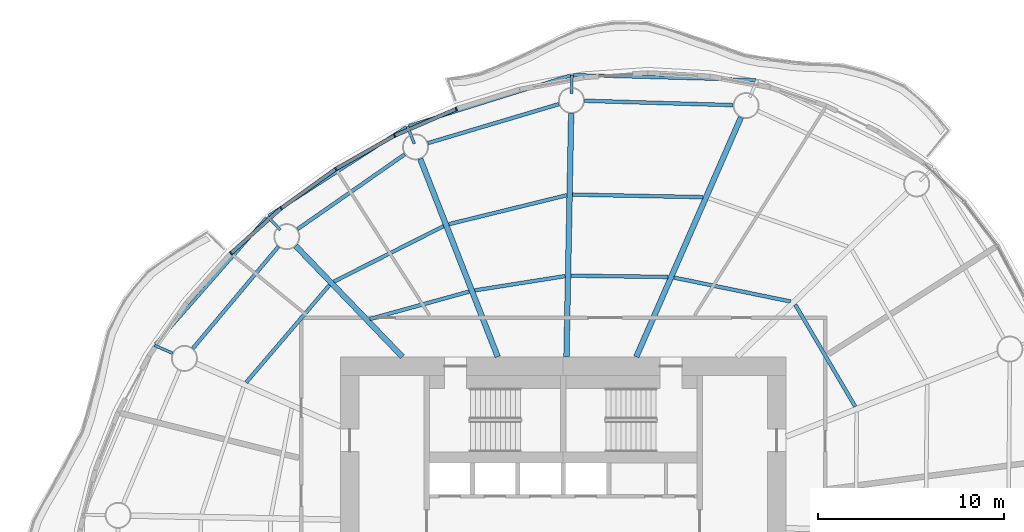
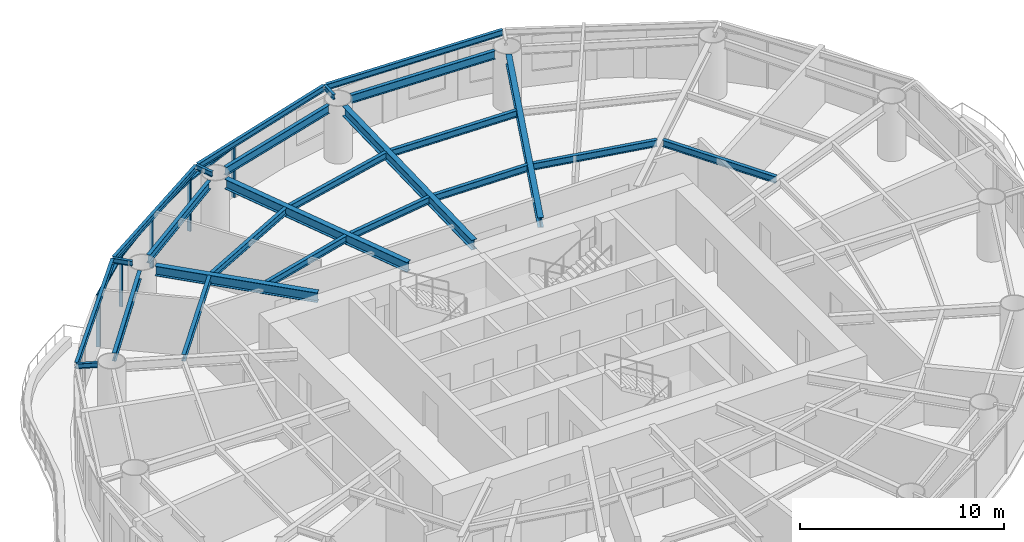
# One storey, part 5 of 14: 25 beams, 9 members, 4 elements without a shape of their own.
"""IFC4 building model written with IfcOpenShell, lengths in metres."""

from ifc_helpers import new_model, si_unit, direction, frame, origin, origin_2d, place, context, subcontext, project, spatial, rectangle, i_section, extrude, material, material_profile, profile_set, type_object, element, aggregate, save


model = new_model("IFC4")

# Units and contexts
model_context = context("Model", 3, precision=1e-05, world=origin(), true_north=direction((0.0, 1.0)))
body_context = subcontext(model_context, "Body", "Model", "MODEL_VIEW")
ifc_project = project(units=[si_unit("LENGTHUNIT", "METRE"), si_unit("AREAUNIT", "SQUARE_METRE"), si_unit("VOLUMEUNIT", "CUBIC_METRE"), si_unit("PLANEANGLEUNIT", "RADIAN"), si_unit("MASSUNIT", "GRAM", prefix="KILO")], contexts=[model_context])

# Site, building, storey
site_placement = place(None, origin())
site = spatial("IfcSite", under=ifc_project, at=site_placement, CompositionType="ELEMENT")
building_placement = place(site_placement, origin())
building = spatial("IfcBuilding", under=site, at=building_placement, Name="Vermilion Reach Broadcast Tower", CompositionType="ELEMENT")
storey_placement = place(building_placement, frame((0.0, 0.0, 165.0)))
storey = spatial("IfcBuildingStorey", under=building, at=storey_placement, Name="L39", CompositionType="ELEMENT", Elevation=165.0)

# Beams
ifc_material_1 = material(Name="Steel S355J2", Category="steel")
ifc_material_profile_1 = material_profile(ifc_material_1, i_section(OverallWidth=0.175048828125, OverallDepth=0.35009765625, WebThickness=0.007080078125, FlangeThickness=0.010986328125, at=origin_2d()), Name="S355J2 HN 350x175x7x11")
ifc_profile_set_1 = profile_set([ifc_material_profile_1], Name="Steel S355J2")
beam_type_1 = type_object("IfcBeamType", Name="EB3 HN 350x175x7x11", PredefinedType="BEAM", material=ifc_profile_set_1)
beam_1_placement = place(storey_placement, frame((4.36328125, 23.896240234375, 3.27490234375), z_axis=(-0.999621496673, 0.027511150258, 0.0), x_axis=(-0.027511150258, -0.999621496673, 0.0)))
element("IfcBeam", 1, at=beam_1_placement, inside=storey, type_object=beam_type_1, Name="Edge beam EB3-02", PredefinedType="BEAM", context=body_context, shape_type="SweptSolid", body=[
    extrude(i_section(OverallWidth=0.175048828125, OverallDepth=0.35009765625, WebThickness=0.007080078125, FlangeThickness=0.010986328125, at=origin_2d()), origin(), (0.0, 0.0, 1.0), 9.82373046875),
])
beam_2_placement = place(storey_placement, frame((-5.607177734375, 24.144775390625, 3.27490234375), z_axis=(-0.95438083908, -0.298592052801, 0.0), x_axis=(0.298592052801, -0.95438083908, 0.0)))
element("IfcBeam", 2, at=beam_2_placement, inside=storey, type_object=beam_type_1, Name="Edge beam EB3-03", PredefinedType="BEAM", context=body_context, shape_type="SweptSolid", body=[
    extrude(i_section(OverallWidth=0.175048828125, OverallDepth=0.35009765625, WebThickness=0.007080078125, FlangeThickness=0.010986328125, at=origin_2d()), origin(), (0.0, 0.0, 1.0), 9.119140625),
])
beam_3_placement = place(storey_placement, frame((-14.4462890625, 21.358154296875, 3.27490234375), z_axis=(-0.840483530554, -0.541837092553, 0.0), x_axis=(0.541837092553, -0.840483530554, 0.0)))
element("IfcBeam", 3, at=beam_3_placement, inside=storey, type_object=beam_type_1, Name="Edge beam EB3-04", PredefinedType="BEAM", context=body_context, shape_type="SweptSolid", body=[
    extrude(i_section(OverallWidth=0.175048828125, OverallDepth=0.35009765625, WebThickness=0.007080078125, FlangeThickness=0.010986328125, at=origin_2d()), origin(), (0.0, 0.0, 1.0), 8.809326171875),
])
beam_4_placement = place(storey_placement, frame((-21.96435546875, 16.487060546875, 3.27490234375), z_axis=(-0.659596410878, -0.751619966976, 0.0), x_axis=(0.751619966976, -0.659596410878, 0.0)))
element("IfcBeam", 4, at=beam_4_placement, inside=storey, type_object=beam_type_1, Name="Edge beam EB3-05", PredefinedType="BEAM", context=body_context, shape_type="SweptSolid", body=[
    extrude(i_section(OverallWidth=0.175048828125, OverallDepth=0.35009765625, WebThickness=0.007080078125, FlangeThickness=0.010986328125, at=origin_2d()), origin(), (0.0, 0.0, 1.0), 9.0654296875),
])
ifc_material_2 = material(Name="Steel S355J2", Category="steel")
ifc_material_profile_2 = material_profile(ifc_material_2, i_section(OverallWidth=0.300048828125, OverallDepth=0.587890625, WebThickness=0.011962890625, FlangeThickness=0.02001953125, at=origin_2d()), Name="S355J2 HM 588x300x12x20")
ifc_profile_set_2 = profile_set([ifc_material_profile_2], Name="Steel S355J2")
beam_type_2 = type_object("IfcBeamType", Name="G3 HM 588x300x12x20", PredefinedType="BEAM", material=ifc_profile_set_2)
beam_5_placement = place(storey_placement, frame((-2.066162109375, 9.0, 3.156005859375), z_axis=(0.400519113205, 0.916288404356, 0.0), x_axis=(-0.916288404356, 0.400519113205, 0.0)))
element("IfcBeam", 5, at=beam_5_placement, inside=storey, type_object=beam_type_2, Name="Girder G3-02", PredefinedType="BEAM", context=body_context, shape_type="SweptSolid", body=[
    extrude(i_section(OverallWidth=0.300048828125, OverallDepth=0.587890625, WebThickness=0.011962890625, FlangeThickness=0.02001953125, at=origin_2d()), origin(), (0.0, 0.0, 1.0), 14.0595703125),
])
beam_6_placement = place(storey_placement, frame((-5.82568359375, 9.0, 3.156005859375), z_axis=(0.019378372481, 0.99981222171, 0.0), x_axis=(-0.99981222171, 0.019378372481, 0.0)))
element("IfcBeam", 6, at=beam_6_placement, inside=storey, type_object=beam_type_2, Name="Girder G3-03", PredefinedType="BEAM", context=body_context, shape_type="SweptSolid", body=[
    extrude(i_section(OverallWidth=0.300048828125, OverallDepth=0.587890625, WebThickness=0.011962890625, FlangeThickness=0.02001953125, at=origin_2d()), origin(), (0.0, 0.0, 1.0), 13.1025390625),
])
beam_7_placement = place(storey_placement, frame((-9.525146484375, 9.0, 3.156005859375), z_axis=(-0.364715649973, 0.931118947646, 0.0), x_axis=(-0.931118947646, -0.364715649973, 0.0)))
element("IfcBeam", 7, at=beam_7_placement, inside=storey, type_object=beam_type_2, Name="Girder G3-04", PredefinedType="BEAM", context=body_context, shape_type="SweptSolid", body=[
    extrude(i_section(OverallWidth=0.300048828125, OverallDepth=0.587890625, WebThickness=0.011962890625, FlangeThickness=0.02001953125, at=origin_2d()), origin(), (0.0, 0.0, 1.0), 11.436767578125),
])
beam_8_placement = place(storey_placement, frame((-14.657958984375, 9.0, 3.156005859375), z_axis=(-0.693282657492, 0.72066577331, 0.0), x_axis=(-0.72066577331, -0.693282657492, 0.0)))
element("IfcBeam", 8, at=beam_8_placement, inside=storey, type_object=beam_type_2, Name="Girder G3-05", PredefinedType="BEAM", context=body_context, shape_type="SweptSolid", body=[
    extrude(i_section(OverallWidth=0.300048828125, OverallDepth=0.587890625, WebThickness=0.011962890625, FlangeThickness=0.02001953125, at=origin_2d()), origin(), (0.0, 0.0, 1.0), 8.273681640625),
])
ifc_material_3 = material(Name="Steel S355J2", Category="steel")
ifc_material_profile_3 = material_profile(ifc_material_3, i_section(OverallWidth=0.14990234375, OverallDepth=0.300048828125, WebThickness=0.006591796875, FlangeThickness=0.009033203125, at=origin_2d()), Name="S355J2 HN 300x150x6.5x9")
ifc_profile_set_3 = profile_set([ifc_material_profile_3], Name="Steel S355J2")
beam_type_3 = type_object("IfcBeamType", Name="GS3 HN 300x150x6.5x9", PredefinedType="BEAM", material=ifc_profile_set_3)
beam_9_placement = place(storey_placement, frame((-5.551025390625, 23.168701171875, 3.300048828125), z_axis=(0.019288230334, 0.999813964781, 0.0), x_axis=(-0.999813964781, 0.019288230334, 0.0)))
element("IfcBeam", 9, at=beam_9_placement, inside=storey, type_object=beam_type_3, Name="Cantilever stub GS3-03", PredefinedType="BEAM", context=body_context, shape_type="SweptSolid", body=[
    extrude(i_section(OverallWidth=0.14990234375, OverallDepth=0.300048828125, WebThickness=0.006591796875, FlangeThickness=0.009033203125, at=origin_2d()), origin(), (0.0, 0.0, 1.0), 1.0),
])
beam_10_placement = place(storey_placement, frame((-14.017333984375, 20.468505859375, 3.300048828125), z_axis=(-0.364813627815, 0.931080564162, 0.0), x_axis=(-0.931080564162, -0.364813627815, 0.0)))
element("IfcBeam", 10, at=beam_10_placement, inside=storey, type_object=beam_type_3, Name="Cantilever stub GS3-04", PredefinedType="BEAM", context=body_context, shape_type="SweptSolid", body=[
    extrude(i_section(OverallWidth=0.14990234375, OverallDepth=0.300048828125, WebThickness=0.006591796875, FlangeThickness=0.009033203125, at=origin_2d()), origin(), (0.0, 0.0, 1.0), 0.999755859375),
])
beam_11_placement = place(storey_placement, frame((-21.221435546875, 15.822998046875, 3.300048828125), z_axis=(-0.693303837595, 0.720645397388, 0.0), x_axis=(-0.720645397388, -0.693303837595, 0.0)))
element("IfcBeam", 11, at=beam_11_placement, inside=storey, type_object=beam_type_3, Name="Cantilever stub GS3-05", PredefinedType="BEAM", context=body_context, shape_type="SweptSolid", body=[
    extrude(i_section(OverallWidth=0.14990234375, OverallDepth=0.300048828125, WebThickness=0.006591796875, FlangeThickness=0.009033203125, at=origin_2d()), origin(), (0.0, 0.0, 1.0), 1.0),
])
beam_12_placement = place(storey_placement, frame((-27.02978515625, 9.19189453125, 3.300048828125), z_axis=(-0.916258278461, 0.400588026721, 0.0), x_axis=(-0.400588026721, -0.916258278461, 0.0)))
element("IfcBeam", 12, at=beam_12_placement, inside=storey, type_object=beam_type_3, Name="Cantilever stub GS3-06", PredefinedType="BEAM", context=body_context, shape_type="SweptSolid", body=[
    extrude(i_section(OverallWidth=0.14990234375, OverallDepth=0.300048828125, WebThickness=0.006591796875, FlangeThickness=0.009033203125, at=origin_2d()), origin(), (0.0, 0.0, 1.0), 1.054443359375),
])
ifc_material_4 = material(Name="Steel S355J2", Category="steel")
ifc_material_profile_4 = material_profile(ifc_material_4, i_section(OverallWidth=0.199951171875, OverallDepth=0.5, WebThickness=0.010009765625, FlangeThickness=0.01611328125, at=origin_2d()), Name="S355J2 HN 500x200x10x16")
ifc_profile_set_4 = profile_set([ifc_material_profile_4], Name="Steel S355J2")
beam_type_4 = type_object("IfcBeamType", Name="RB3 HN 500x200x10x16", PredefinedType="BEAM", material=ifc_profile_set_4)
beam_13_placement = place(storey_placement, frame((3.1455078125, 22.544677734375, 3.199951171875), z_axis=(-0.999569781146, 0.029330063427, 0.0), x_axis=(-0.029330063427, -0.999569781146, 0.0)))
element("IfcBeam", 13, at=beam_13_placement, inside=storey, type_object=beam_type_4, Name="Ring beam RB3-02", PredefinedType="BEAM", context=body_context, shape_type="SweptSolid", body=[
    extrude(i_section(OverallWidth=0.199951171875, OverallDepth=0.5, WebThickness=0.010009765625, FlangeThickness=0.01611328125, at=origin_2d()), origin(), (0.0, 0.0, 1.0), 8.007568359375),
])
beam_14_placement = place(storey_placement, frame((-6.229248046875, 22.60009765625, 3.199951171875), z_axis=(-0.958416970322, -0.285371531516, 0.0), x_axis=(0.285371531516, -0.958416970322, 0.0)))
element("IfcBeam", 14, at=beam_14_placement, inside=storey, type_object=beam_type_4, Name="Ring beam RB3-03", PredefinedType="BEAM", context=body_context, shape_type="SweptSolid", body=[
    extrude(i_section(OverallWidth=0.199951171875, OverallDepth=0.5, WebThickness=0.010009765625, FlangeThickness=0.01611328125, at=origin_2d()), origin(), (0.0, 0.0, 1.0), 7.357421875),
])
beam_15_placement = place(storey_placement, frame((-14.525634765625, 19.900146484375, 3.199951171875), z_axis=(-0.820111453349, -0.572203813415, 0.0), x_axis=(0.572203813415, -0.820111453349, 0.0)))
element("IfcBeam", 15, at=beam_15_placement, inside=storey, type_object=beam_type_4, Name="Ring beam RB3-04", PredefinedType="BEAM", context=body_context, shape_type="SweptSolid", body=[
    extrude(i_section(OverallWidth=0.199951171875, OverallDepth=0.5, WebThickness=0.010009765625, FlangeThickness=0.01611328125, at=origin_2d()), origin(), (0.0, 0.0, 1.0), 7.04736328125),
])
beam_16_placement = place(storey_placement, frame((-21.32958984375, 14.931396484375, 3.199951171875), z_axis=(-0.643350337931, -0.765571905626, 0.0), x_axis=(0.765571905626, -0.643350337931, 0.0)))
element("IfcBeam", 16, at=beam_16_placement, inside=storey, type_object=beam_type_4, Name="Ring beam RB3-05", PredefinedType="BEAM", context=body_context, shape_type="SweptSolid", body=[
    extrude(i_section(OverallWidth=0.199951171875, OverallDepth=0.5, WebThickness=0.010009765625, FlangeThickness=0.01611328125, at=origin_2d()), origin(), (0.0, 0.0, 1.0), 7.1630859375),
])
ifc_material_5 = material(Name="Steel S355J2", Category="steel")
ifc_material_profile_5 = material_profile(ifc_material_5, i_section(OverallWidth=0.199951171875, OverallDepth=0.39990234375, WebThickness=0.008056640625, FlangeThickness=0.012939453125, at=origin_2d()), Name="S355J2 HN 400x200x8x13")
ifc_profile_set_5 = profile_set([ifc_material_profile_5], Name="Steel S355J2")
beam_type_5 = type_object("IfcBeamType", Name="SB3 HN 400x200x8x13", PredefinedType="BEAM", material=ifc_profile_set_5)
beam_17_placement = place(storey_placement, frame((6.232666015625, 11.975830078125, 3.25), z_axis=(-0.97956765607, 0.201114910391, 0.0), x_axis=(-0.201114910391, -0.97956765607, 0.0)))
element("IfcBeam", 17, at=beam_17_placement, inside=storey, type_object=beam_type_5, Name="Secondary beam SB3-01-1", PredefinedType="BEAM", context=body_context, shape_type="SweptSolid", body=[
    extrude(i_section(OverallWidth=0.199951171875, OverallDepth=0.39990234375, WebThickness=0.008056640625, FlangeThickness=0.012939453125, at=origin_2d()), origin(), (0.0, 0.0, 1.0), 6.40234375),
])
beam_18_placement = place(storey_placement, frame((-0.351806640625, 13.29638671875, 3.25), z_axis=(-0.999914891843, 0.013046419838, 0.0), x_axis=(-0.013046419838, -0.999914891843, 0.0)))
element("IfcBeam", 18, at=beam_18_placement, inside=storey, type_object=beam_type_5, Name="Secondary beam SB3-02-1", PredefinedType="BEAM", context=body_context, shape_type="SweptSolid", body=[
    extrude(i_section(OverallWidth=0.199951171875, OverallDepth=0.39990234375, WebThickness=0.008056640625, FlangeThickness=0.012939453125, at=origin_2d()), origin(), (0.0, 0.0, 1.0), 5.23974609375),
])
beam_19_placement = place(storey_placement, frame((1.525634765625, 17.591552734375, 3.25), z_axis=(-0.999804929321, 0.019751033045, 0.0), x_axis=(-0.019751033045, -0.999804929321, 0.0)))
element("IfcBeam", 19, at=beam_19_placement, inside=storey, type_object=beam_type_5, Name="Secondary beam SB3-02-2", PredefinedType="BEAM", context=body_context, shape_type="SweptSolid", body=[
    extrude(i_section(OverallWidth=0.199951171875, OverallDepth=0.39990234375, WebThickness=0.008056640625, FlangeThickness=0.012939453125, at=origin_2d()), origin(), (0.0, 0.0, 1.0), 7.033447265625),
])
beam_20_placement = place(storey_placement, frame((-5.8916015625, 13.343017578125, 3.25), z_axis=(-0.987756142208, -0.15600578044, 0.0), x_axis=(0.15600578044, -0.987756142208, 0.0)))
element("IfcBeam", 20, at=beam_20_placement, inside=storey, type_object=beam_type_5, Name="Secondary beam SB3-03-1", PredefinedType="BEAM", context=body_context, shape_type="SweptSolid", body=[
    extrude(i_section(OverallWidth=0.199951171875, OverallDepth=0.39990234375, WebThickness=0.008056640625, FlangeThickness=0.012939453125, at=origin_2d()), origin(), (0.0, 0.0, 1.0), 4.9326171875),
])
beam_21_placement = place(storey_placement, frame((-5.80712890625, 17.6962890625, 3.25), z_axis=(-0.971111691931, -0.238625400566, 0.0), x_axis=(0.238625400566, -0.971111691931, 0.0)))
element("IfcBeam", 21, at=beam_21_placement, inside=storey, type_object=beam_type_5, Name="Secondary beam SB3-03-2", PredefinedType="BEAM", context=body_context, shape_type="SweptSolid", body=[
    extrude(i_section(OverallWidth=0.199951171875, OverallDepth=0.39990234375, WebThickness=0.008056640625, FlangeThickness=0.012939453125, at=origin_2d()), origin(), (0.0, 0.0, 1.0), 6.540771484375),
])
beam_22_placement = place(storey_placement, frame((-11.06103515625, 12.509521484375, 3.25), z_axis=(-0.963889790258, -0.266301468708, 0.0), x_axis=(0.266301468708, -0.963889790258, 0.0)))
element("IfcBeam", 22, at=beam_22_placement, inside=storey, type_object=beam_type_5, Name="Secondary beam SB3-04-1", PredefinedType="BEAM", context=body_context, shape_type="SweptSolid", body=[
    extrude(i_section(OverallWidth=0.199951171875, OverallDepth=0.39990234375, WebThickness=0.008056640625, FlangeThickness=0.012939453125, at=origin_2d()), origin(), (0.0, 0.0, 1.0), 5.544677734375),
])
beam_23_placement = place(storey_placement, frame((-12.4404296875, 16.03125, 3.25), z_axis=(-0.892320561657, -0.451402276516, 0.0), x_axis=(0.451402276516, -0.892320561657, 0.0)))
element("IfcBeam", 23, at=beam_23_placement, inside=storey, type_object=beam_type_5, Name="Secondary beam SB3-04-2", PredefinedType="BEAM", context=body_context, shape_type="SweptSolid", body=[
    extrude(i_section(OverallWidth=0.199951171875, OverallDepth=0.39990234375, WebThickness=0.008056640625, FlangeThickness=0.012939453125, at=origin_2d()), origin(), (0.0, 0.0, 1.0), 6.613525390625),
])
beam_24_placement = place(storey_placement, frame((-18.579833984375, 12.860595703125, 3.25), z_axis=(-0.650167134505, -0.759791219487, 0.0), x_axis=(0.759791219487, -0.650167134505, 0.0)))
element("IfcBeam", 24, at=beam_24_placement, inside=storey, type_object=beam_type_5, Name="Secondary beam SB3-05-2", PredefinedType="BEAM", context=body_context, shape_type="SweptSolid", body=[
    extrude(i_section(OverallWidth=0.199951171875, OverallDepth=0.39990234375, WebThickness=0.008056640625, FlangeThickness=0.012939453125, at=origin_2d()), origin(), (0.0, 0.0, 1.0), 6.89501953125),
])
beam_25_placement = place(storey_placement, frame((9.71923828125, 6.318115234375, 3.25), z_axis=(-0.507249643612, 0.861799163991, 0.0), x_axis=(-0.861799163991, -0.507249643612, 0.0)))
element("IfcBeam", 25, at=beam_25_placement, inside=storey, type_object=beam_type_5, Name="Secondary beam SB3-16-1", PredefinedType="BEAM", context=body_context, shape_type="SweptSolid", body=[
    extrude(i_section(OverallWidth=0.199951171875, OverallDepth=0.39990234375, WebThickness=0.008056640625, FlangeThickness=0.012939453125, at=origin_2d()), origin(), (0.0, 0.0, 1.0), 6.3681640625),
])

# Curtain wall, member
ifc_material_6 = material(Name="Low-e laminated clear glass in aluminium frame", Category="aluminium")
curtain_wall_type = type_object("IfcCurtainWallType", Name="Slot curtain wall", PredefinedType="NOTDEFINED", material=ifc_material_6)
placement = place(storey_placement, origin())
curtain_wall_1 = element("IfcCurtainWall", 26, at=placement, inside=storey, type_object=curtain_wall_type, Name="Slot curtain wall L39 10", PredefinedType="NOTDEFINED")
ifc_material_7 = material(Name="Anodised aluminium", Category="aluminium")
ifc_material_profile_6 = material_profile(ifc_material_7, rectangle(XDim=0.199951171875, YDim=0.080078125, at=origin_2d()), Name="Slot mullion 80 x 200")
ifc_profile_set_6 = profile_set([ifc_material_profile_6], Name="Anodised aluminium")
member_type_1 = type_object("IfcMemberType", Name="Slot mullion 80 x 200", PredefinedType="MULLION", material=ifc_profile_set_6)
member_1_placement = place(storey_placement, frame((-11.759765625, 22.337646484375, 0.0), z_axis=(0.0, 0.0, 1.0), x_axis=(0.345936956718, -0.938257758815, 0.0)))
member_1 = element("IfcMember", 27, at=member_1_placement, type_object=member_type_1, Name="Slot mullion L39 10", PredefinedType="MULLION", context=body_context, shape_type="SweptSolid", body=[
    extrude(rectangle(XDim=0.199951171875, YDim=0.080078125, at=origin_2d()), origin(), (0.0, 0.0, 1.0), 3.10009765625),
])

curtain_wall_2 = element("IfcCurtainWall", 28, at=placement, inside=storey, type_object=curtain_wall_type, Name="Slot curtain wall L39 11", PredefinedType="NOTDEFINED")
member_2_placement = place(storey_placement, frame((-15.07763671875, 20.903076171875, 0.0), z_axis=(0.0, 0.0, 1.0), x_axis=(0.445792743, -0.895136207674, 0.0)))
member_2 = element("IfcMember", 29, at=member_2_placement, type_object=member_type_1, Name="Slot mullion L39 11", PredefinedType="MULLION", context=body_context, shape_type="SweptSolid", body=[
    extrude(rectangle(XDim=0.199951171875, YDim=0.080078125, at=origin_2d()), origin(), (0.0, 0.0, 1.0), 3.10009765625),
])

curtain_wall_3 = element("IfcCurtainWall", 30, at=placement, inside=storey, type_object=curtain_wall_type, Name="Slot curtain wall L39 12", PredefinedType="NOTDEFINED")
member_3_placement = place(storey_placement, frame((-18.23974609375, 19.109375, 0.0), z_axis=(0.0, 0.0, 1.0), x_axis=(0.539358765981, -0.842076078249, 0.0)))
member_3 = element("IfcMember", 31, at=member_3_placement, type_object=member_type_1, Name="Slot mullion L39 12", PredefinedType="MULLION", context=body_context, shape_type="SweptSolid", body=[
    extrude(rectangle(XDim=0.199951171875, YDim=0.080078125, at=origin_2d()), origin(), (0.0, 0.0, 1.0), 3.10009765625),
])

# Curtain wall, members
curtain_wall_4 = element("IfcCurtainWall", 32, at=placement, inside=storey, type_object=curtain_wall_type, Name="Slot curtain wall L39 13", PredefinedType="NOTDEFINED")
member_4_placement = place(storey_placement, frame((-21.191650390625, 16.987060546875, 0.0), z_axis=(0.0, 0.0, 1.0), x_axis=(0.626684486241, -0.77927309379, 0.0)))
member_4 = element("IfcMember", 33, at=member_4_placement, type_object=member_type_1, Name="Slot mullion L39 13", PredefinedType="MULLION", context=body_context, shape_type="SweptSolid", body=[
    extrude(rectangle(XDim=0.199951171875, YDim=0.080078125, at=origin_2d()), origin(), (0.0, 0.0, 1.0), 3.10009765625),
])
member_5_placement = place(storey_placement, frame((-23.882080078125, 14.5732421875, 0.0), z_axis=(0.0, 0.0, 1.0), x_axis=(0.707612539915, -0.706600660454, 0.0)))
member_5 = element("IfcMember", 34, at=member_5_placement, type_object=member_type_1, Name="Slot mullion L39 14", PredefinedType="MULLION", context=body_context, shape_type="SweptSolid", body=[
    extrude(rectangle(XDim=0.199951171875, YDim=0.080078125, at=origin_2d()), origin(), (0.0, 0.0, 1.0), 3.10009765625),
])

# Member
ifc_material_8 = material(Name="Anodised aluminium", Category="aluminium")
ifc_material_profile_7 = material_profile(ifc_material_8, rectangle(XDim=0.199951171875, YDim=0.10009765625, at=origin_2d()), Name="Slot transom 200 x 100")
ifc_profile_set_7 = profile_set([ifc_material_profile_7], Name="Anodised aluminium")
member_type_2 = type_object("IfcMemberType", Name="Slot transom 200 x 100", PredefinedType="USERDEFINED", material=ifc_profile_set_7)
member_6_placement = place(storey_placement, frame((-11.79638671875, 22.32177734375, 3.050048828125), z_axis=(-0.917871996945, -0.396876551618, 0.0), x_axis=(0.396876551618, -0.917871996945, 0.0)))
member_6 = element("IfcMember", 35, at=member_6_placement, type_object=member_type_2, Name="Slot transom L39 10.1", ObjectType="TRANSOM", PredefinedType="USERDEFINED", context=body_context, shape_type="SweptSolid", body=[
    extrude(rectangle(XDim=0.199951171875, YDim=0.10009765625, at=origin_2d()), origin(), (0.0, 0.0, 1.0), 3.53466796875),
])

aggregate(curtain_wall_1, [member_1, member_6])

member_7_placement = place(storey_placement, frame((-15.1123046875, 20.88330078125, 3.050048828125), z_axis=(-0.869785481434, -0.493430052071, 0.0), x_axis=(0.493430052071, -0.869785481434, 0.0)))
member_7 = element("IfcMember", 36, at=member_7_placement, type_object=member_type_2, Name="Slot transom L39 11.1", ObjectType="TRANSOM", PredefinedType="USERDEFINED", context=body_context, shape_type="SweptSolid", body=[
    extrude(rectangle(XDim=0.199951171875, YDim=0.10009765625, at=origin_2d()), origin(), (0.0, 0.0, 1.0), 3.555419921875),
])

aggregate(curtain_wall_2, [member_2, member_7])

member_8_placement = place(storey_placement, frame((-18.272216796875, 19.0859375, 3.050048828125), z_axis=(-0.811934005001, -0.58374923685, 0.0), x_axis=(0.58374923685, -0.811934005001, 0.0)))
member_8 = element("IfcMember", 37, at=member_8_placement, type_object=member_type_2, Name="Slot transom L39 12.1", ObjectType="TRANSOM", PredefinedType="USERDEFINED", context=body_context, shape_type="SweptSolid", body=[
    extrude(rectangle(XDim=0.199951171875, YDim=0.10009765625, at=origin_2d()), origin(), (0.0, 0.0, 1.0), 3.555419921875),
])

aggregate(curtain_wall_3, [member_3, member_8])

member_9_placement = place(storey_placement, frame((-21.22119140625, 16.96044921875, 3.050048828125), z_axis=(-0.744333829312, -0.667807719738, 0.0), x_axis=(0.667807719738, -0.744333829312, 0.0)))
member_9 = element("IfcMember", 38, at=member_9_placement, type_object=member_type_2, Name="Slot transom L39 13.1", ObjectType="TRANSOM", PredefinedType="USERDEFINED", context=body_context, shape_type="SweptSolid", body=[
    extrude(rectangle(XDim=0.199951171875, YDim=0.10009765625, at=origin_2d()), origin(), (0.0, 0.0, 1.0), 3.534912109375),
])

aggregate(curtain_wall_4, [member_4, member_5, member_9])

save(model, "model.ifc")
